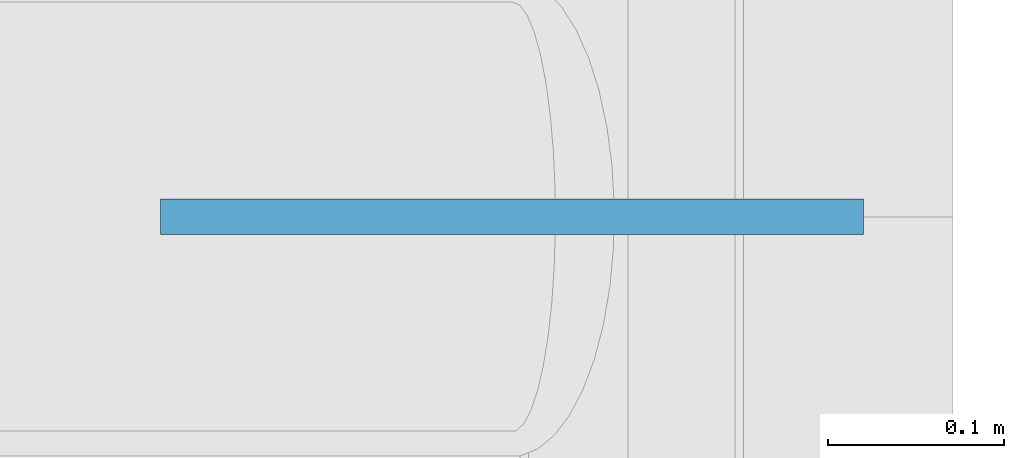
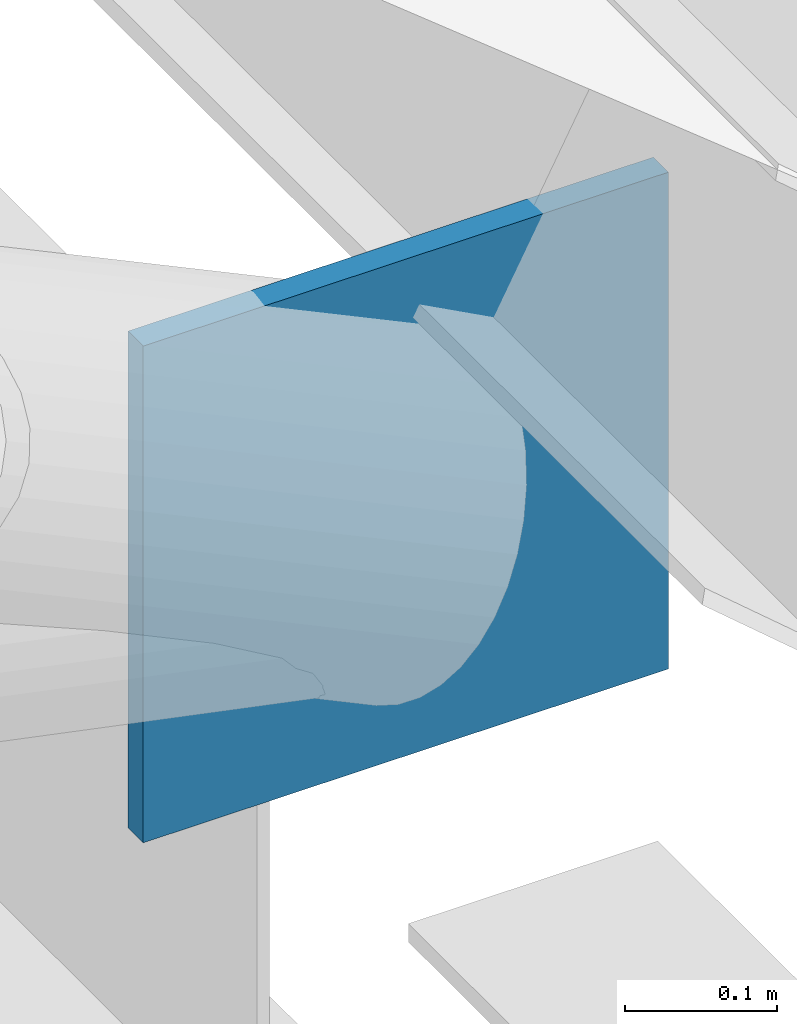
# One storey, part 307 of 321: 1 discrete accessory.
"""IFC4 building model written with IfcOpenShell, lengths in metres."""

import ifcopenshell
import ifcopenshell.guid

model = None  # the IFC model being written
_history = None  # IfcOwnerHistory: only IFC2X3 demands one
_inside = {}  # id of a spatial element -> (the spatial element, [elements in it])
_under = {}  # id of a project, library or spatial element -> (it, [spatial elements below it])
_declared = {}  # id of a project -> (the project, [libraries it declares])
_typed = {}  # id of a type object -> (the type object, [elements of that type])
_made_of = {}  # id of a material, layer set ... -> (it, [elements and type objects made of it])


def new_model(schema):
    """Start an empty IFC model of exactly this schema.

    Asked for "IFC4X3", IfcOpenShell would pick the latest addendum, in which some entities
    have other attributes; the version numbers below select the first issue.
    IFC2X3 requires an IfcOwnerHistory on every rooted entity: one is made here for all.
    """
    global model, _history
    if schema == "IFC4X3":
        model = ifcopenshell.file(schema_version=(4, 3, 0, 0))
    else:
        model = ifcopenshell.file(schema=schema)
    _inside.clear()
    _under.clear()
    _declared.clear()
    _typed.clear()
    _made_of.clear()
    _history = None
    if model.schema == "IFC2X3":
        org = make("IfcOrganization", Name="unknown")
        user = make(
            "IfcPersonAndOrganization",
            ThePerson=make("IfcPerson", FamilyName="unknown"),
            TheOrganization=org,
        )
        app = make(
            "IfcApplication",
            ApplicationDeveloper=org,
            Version="unknown",
            ApplicationFullName="unknown",
            ApplicationIdentifier="unknown",
        )
        _history = make(
            "IfcOwnerHistory",
            OwningUser=user,
            OwningApplication=app,
            ChangeAction="ADDED",
            CreationDate=0,
        )
    return model


def make(cls, **values):
    """One entity of the class cls with the attributes given. An attribute that is None is left unset."""
    return model.create_entity(
        cls, **{name: value for name, value in values.items() if value is not None}
    )


def rooted(cls, **values):
    """An entity with a GlobalId (a new one), such as an element, a storey or a relation."""
    return make(cls, GlobalId=ifcopenshell.guid.new(), OwnerHistory=_history, **values)


def si_unit(unit_type, name, prefix=None):
    """IfcSIUnit, for example si_unit("LENGTHUNIT", "METRE", prefix="MILLI")."""
    return make("IfcSIUnit", UnitType=unit_type, Prefix=prefix, Name=name)


def assignment(units):
    """IfcUnitAssignment: the units of a project."""
    return None if units is None else make("IfcUnitAssignment", Units=units)


def point(xyz):
    """IfcCartesianPoint."""
    return None if xyz is None else make("IfcCartesianPoint", Coordinates=xyz)


def direction(xyz):
    """IfcDirection."""
    return None if xyz is None else make("IfcDirection", DirectionRatios=xyz)


def frame(location, z_axis=None, x_axis=None):
    """IfcAxis2Placement3D, a coordinate frame: its origin and axes. An axis left out is left unset."""
    return make(
        "IfcAxis2Placement3D",
        Location=point(location),
        Axis=direction(z_axis),
        RefDirection=direction(x_axis),
    )


def frame_2d(location, x_axis=None):
    """IfcAxis2Placement2D, a coordinate frame in the plane: its origin and x axis."""
    return make(
        "IfcAxis2Placement2D", Location=point(location), RefDirection=direction(x_axis)
    )


def origin():
    """The frame at (0, 0, 0) with its axes left unset."""
    return frame((0.0, 0.0, 0.0))


def origin_2d():
    """The frame at (0, 0) in the plane with its x axis left unset."""
    return frame_2d((0.0, 0.0))


def place(relative_to, where):
    """IfcLocalPlacement: puts the frame where relative to a parent placement (None: the world)."""
    return make(
        "IfcLocalPlacement", PlacementRelTo=relative_to, RelativePlacement=where
    )


def context(
    kind, dimensions, precision=None, world=None, true_north=None, identifier=None
):
    """IfcGeometricRepresentationContext, for example the 3D "Model" context."""
    return make(
        "IfcGeometricRepresentationContext",
        ContextIdentifier=identifier,
        ContextType=kind,
        CoordinateSpaceDimension=dimensions,
        Precision=precision,
        WorldCoordinateSystem=world,
        TrueNorth=true_north,
    )


def subcontext(parent, identifier, kind, view, scale=None):
    """IfcGeometricRepresentationSubContext, for example "Body" below "Model"."""
    return make(
        "IfcGeometricRepresentationSubContext",
        ContextIdentifier=identifier,
        ContextType=kind,
        ParentContext=parent,
        TargetScale=scale,
        TargetView=view,
    )


def project(units=None, contexts=None):
    """IfcProject with its units and contexts."""
    return rooted(
        "IfcProject",
        Name="project",
        RepresentationContexts=contexts,
        UnitsInContext=assignment(units),
    )


def spatial(cls, under=None, at=None, **own):
    """A site, building, storey or space (cls), placed at a placement, below another one or the project."""
    s = rooted(cls, ObjectPlacement=at, **own)
    if under is not None:
        _under.setdefault(under.id(), (under, []))[1].append(s)
    return s


def profile(cls, at=None, kind="AREA", **sizes):
    """A parametric profile (cls). Its sizes go by their IFC names, for example OverallWidth=200.0."""
    return make(cls, ProfileType=kind, Position=at, **sizes)


def rectangle(**sizes):
    """IfcRectangleProfileDef."""
    return profile("IfcRectangleProfileDef", **sizes)


def extrude(swept, where, along, depth):
    """IfcExtrudedAreaSolid: the profile swept, set in the frame where, extruded along a direction by depth."""
    return make(
        "IfcExtrudedAreaSolid",
        SweptArea=swept,
        Position=where,
        ExtrudedDirection=direction(along),
        Depth=depth,
    )


def shape(context_of_items, identifier, shape_type, items):
    """IfcShapeRepresentation: the items that make up one representation, for example the "Body"."""
    return make(
        "IfcShapeRepresentation",
        ContextOfItems=context_of_items,
        RepresentationIdentifier=identifier,
        RepresentationType=shape_type,
        Items=items,
    )


def material(Name=None, Category=None):
    """IfcMaterial."""
    return make("IfcMaterial", Name=Name, Category=Category)


def material_profile(
    of_material, cross_section, Name=None, Category=None, Priority=None
):
    """IfcMaterialProfile: a cross section and its material."""
    return make(
        "IfcMaterialProfile",
        Name=Name,
        Material=of_material,
        Profile=cross_section,
        Priority=Priority,
        Category=Category,
    )


def profile_set(profiles, Name=None, composite=None):
    """IfcMaterialProfileSet."""
    return make(
        "IfcMaterialProfileSet",
        Name=Name,
        MaterialProfiles=profiles,
        CompositeProfile=composite,
    )


def made_of(thing, what):
    """Note that an element or type object is made of a material, layer set ...; save() writes the relation."""
    if what is not None:
        _made_of.setdefault(what.id(), (what, []))[1].append(thing)
    return thing


def type_object(cls, material=None, **own):
    """A type object (cls), such as IfcWallType, which elements share."""
    return made_of(rooted(cls, **own), material)


def element(
    cls,
    number,
    at=None,
    inside=None,
    cuts=None,
    type_object=None,
    material=None,
    context=None,
    identifier="Body",
    shape_type=None,
    held_by="IfcProductDefinitionShape",
    body=None,
    shapes=None,
    **own,
):
    """One element of the class cls, such as IfcWall. Its Tag is "e" and its number.

    at: its placement. inside: the storey or other place that contains it. cuts: it is an
    opening in that element (IfcRelVoidsElement). A single representation is given by context,
    identifier, shape_type and body (its items); several are given by shapes. held_by: the class
    of the entity that holds the representations. save() writes the other relations.
    """
    e = rooted(cls, Tag="e%d" % number, ObjectPlacement=at, **own)
    if body is not None:
        shapes = [shape(context, identifier, shape_type, body)]
    if shapes is not None:
        e.Representation = make(held_by, Representations=shapes)
    if inside is not None:
        _inside.setdefault(inside.id(), (inside, []))[1].append(e)
    if cuts is not None:
        rooted(
            "IfcRelVoidsElement", RelatingBuildingElement=cuts, RelatedOpeningElement=e
        )
    if type_object is not None:
        _typed.setdefault(type_object.id(), (type_object, []))[1].append(e)
    return made_of(e, material)


def aggregate(whole, parts):
    """IfcRelAggregates: a whole, such as a stair, and the parts it consists of."""
    return rooted("IfcRelAggregates", RelatingObject=whole, RelatedObjects=parts)


def save(model, path):
    """Write the relations noted so far, then the file.

    IfcRelAggregates (storeys below a building ...), IfcRelContainedInSpatialStructure (elements
    in a storey), IfcRelDefinesByType, IfcRelAssociatesMaterial and IfcRelDeclares: one each for
    every whole, place, type object, material and project.
    """
    for whole, parts in _under.values():
        aggregate(whole, parts)
    for where, things in _inside.values():
        rooted(
            "IfcRelContainedInSpatialStructure",
            RelatedElements=things,
            RelatingStructure=where,
        )
    for kind, things in _typed.values():
        rooted("IfcRelDefinesByType", RelatedObjects=things, RelatingType=kind)
    for what, things in _made_of.values():
        rooted("IfcRelAssociatesMaterial", RelatedObjects=things, RelatingMaterial=what)
    for by, libraries in _declared.values():
        rooted("IfcRelDeclares", RelatingContext=by, RelatedDefinitions=libraries)
    model.write(path)


model = new_model("IFC4")

# Units and contexts
model_context = context("Model", 3, precision=1e-05, world=origin(), true_north=direction((0.0, 1.0)))
body_context = subcontext(model_context, "Body", "Model", "MODEL_VIEW")
ifc_project = project(units=[si_unit("LENGTHUNIT", "METRE"), si_unit("AREAUNIT", "SQUARE_METRE"), si_unit("VOLUMEUNIT", "CUBIC_METRE"), si_unit("PLANEANGLEUNIT", "RADIAN"), si_unit("MASSUNIT", "GRAM", prefix="KILO")], contexts=[model_context])

# Site, building, storey
site_placement = place(None, origin())
site = spatial("IfcSite", under=ifc_project, at=site_placement, CompositionType="ELEMENT")
building_placement = place(site_placement, origin())
building = spatial("IfcBuilding", under=site, at=building_placement, Name="Ravi Spectrum Wholesale Market", CompositionType="ELEMENT")
storey_placement = place(building_placement, frame((0.0, 0.0, 10.800048828125)))
storey = spatial("IfcBuildingStorey", under=building, at=storey_placement, Name="L02", CompositionType="ELEMENT", Elevation=10.800048828125)

# Discrete accessory
ifc_material = material(Name="Steel S355", Category="steel")
ifc_material_profile = material_profile(ifc_material, rectangle(XDim=0.39990234375, YDim=0.02001953125, at=origin_2d()))
ifc_profile_set = profile_set([ifc_material_profile], Name="Steel S355")
discrete_accessory_type = type_object("IfcDiscreteAccessoryType", Name="Gusset plate 400x400x20", PredefinedType="BRACKET", material=ifc_profile_set)
discrete_accessory_placement = place(storey_placement, frame((198.0, 162.0, -0.199951171875), z_axis=(0.0, 0.0, 1.0), x_axis=(1.0, 0.0, 0.0)))
element("IfcDiscreteAccessory", 1, at=discrete_accessory_placement, inside=storey, type_object=discrete_accessory_type, Name="Gusset plate", PredefinedType="BRACKET", context=body_context, shape_type="SweptSolid", body=[
    extrude(rectangle(XDim=0.39990234375, YDim=0.02001953125, at=origin_2d()), origin(), (0.0, 0.0, 1.0), 0.39990234375),
])

save(model, "model.ifc")
